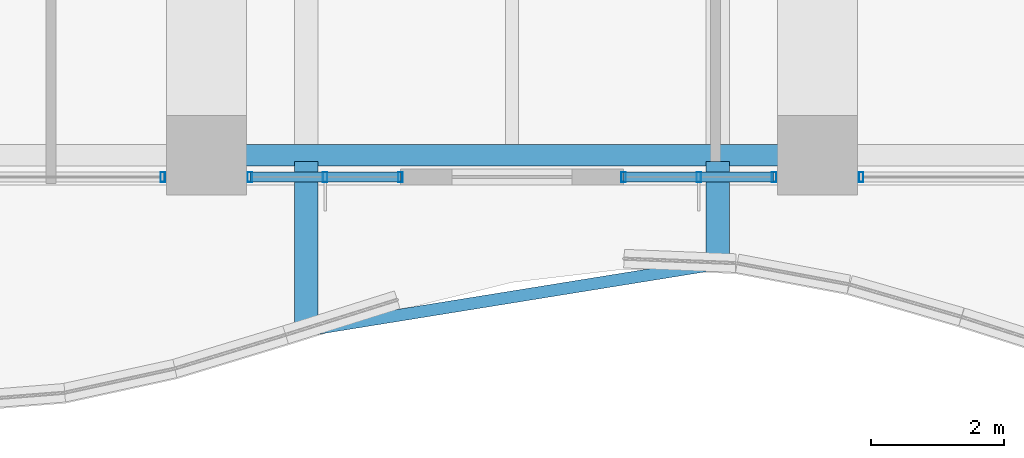
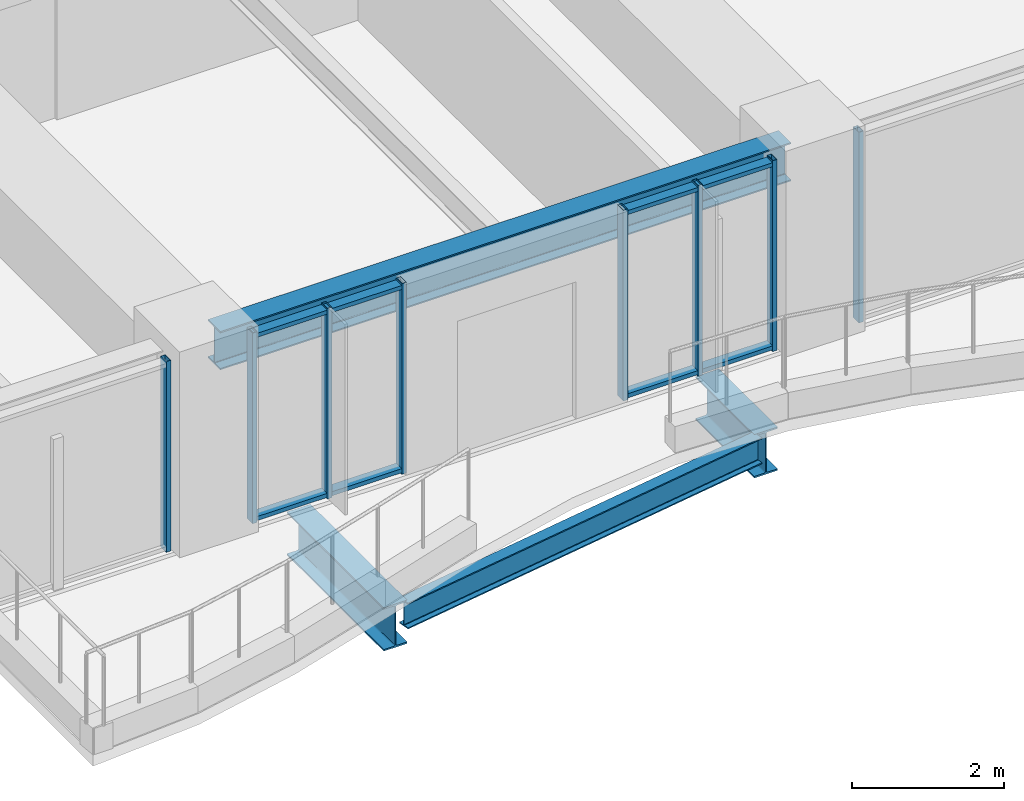
# One storey, part 5 of 37: 12 members, 4 beams, 4 elements without a shape of their own.
"""IFC4 building model written with IfcOpenShell, lengths in metres."""

from ifc_helpers import new_model, si_unit, direction, frame, origin, origin_2d, place, context, subcontext, project, spatial, hollow_rectangle, i_section, extrude, material, material_profile, profile_set, type_object, element, aggregate, save


model = new_model("IFC4")

# Units and contexts
model_context = context("Model", 3, precision=1e-05, world=origin(), true_north=direction((0.0, 1.0)))
body_context = subcontext(model_context, "Body", "Model", "MODEL_VIEW")
ifc_project = project(units=[si_unit("LENGTHUNIT", "METRE"), si_unit("AREAUNIT", "SQUARE_METRE"), si_unit("VOLUMEUNIT", "CUBIC_METRE"), si_unit("PLANEANGLEUNIT", "RADIAN"), si_unit("MASSUNIT", "GRAM", prefix="KILO")], contexts=[model_context])

# Site, building, storey
site_placement = place(None, origin())
site = spatial("IfcSite", under=ifc_project, at=site_placement, CompositionType="ELEMENT")
building_placement = place(site_placement, origin())
building = spatial("IfcBuilding", under=site, at=building_placement, Name="Kolvaren Belvedere", CompositionType="ELEMENT")
storey_placement = place(building_placement, frame((0.0, 0.0, 37.0)))
storey = spatial("IfcBuildingStorey", under=building, at=storey_placement, Name="L10", CompositionType="ELEMENT", Elevation=37.0)

# Beams
ifc_material_1 = material(Name="Structural steel ASTM A992 Grade 50", Category="steel")
ifc_material_profile_1 = material_profile(ifc_material_1, i_section(OverallWidth=0.35498046875, OverallDepth=0.696044921875, WebThickness=0.015380859375, FlangeThickness=0.02490234375, FilletRadius=0.02197265625, at=origin_2d()), Name="W27X146")
ifc_profile_set_1 = profile_set([ifc_material_profile_1], Name="Structural steel ASTM A992 Grade 50")
beam_type_1 = type_object("IfcBeamType", Name="BM-CANT-BAL", PredefinedType="BEAM", material=ifc_profile_set_1)
beam_1_placement = place(storey_placement, frame((-3.10009765625, -21.64501953125, -0.587890625), z_axis=(0.0, -1.0, 0.0), x_axis=(1.0, 0.0, 0.0)))
element("IfcBeam", 1, at=beam_1_placement, inside=storey, type_object=beam_type_1, Name="L10 Planted Balcony Cantilever BAL-S-1", PredefinedType="BEAM", context=body_context, shape_type="SweptSolid", body=[
    extrude(i_section(OverallWidth=0.35498046875, OverallDepth=0.696044921875, WebThickness=0.015380859375, FlangeThickness=0.02490234375, FilletRadius=0.02197265625, at=origin_2d()), origin(), (0.0, 0.0, 1.0), 2.541259765625),
])
beam_2_placement = place(storey_placement, frame((3.10009765625, -21.64501953125, -0.587890625), z_axis=(0.0, -1.0, 0.0), x_axis=(1.0, 0.0, 0.0)))
element("IfcBeam", 2, at=beam_2_placement, inside=storey, type_object=beam_type_1, Name="L10 Planted Balcony Cantilever BAL-S-2", PredefinedType="BEAM", context=body_context, shape_type="SweptSolid", body=[
    extrude(i_section(OverallWidth=0.35498046875, OverallDepth=0.696044921875, WebThickness=0.015380859375, FlangeThickness=0.02490234375, FilletRadius=0.02197265625, at=origin_2d()), origin(), (0.0, 0.0, 1.0), 1.540283203125),
])
ifc_material_2 = material(Name="Structural steel ASTM A992 Grade 50", Category="steel")
ifc_material_profile_2 = material_profile(ifc_material_2, i_section(OverallWidth=0.180908203125, OverallDepth=0.4169921875, WebThickness=0.010986328125, FlangeThickness=0.018310546875, FilletRadius=0.013916015625, at=origin_2d()), Name="W16X57")
ifc_profile_set_2 = profile_set([ifc_material_profile_2], Name="Structural steel ASTM A992 Grade 50")
beam_type_2 = type_object("IfcBeamType", Name="BM-EDGE-W16X57", PredefinedType="BEAM", material=ifc_profile_set_2)
beam_3_placement = place(storey_placement, frame((-2.9619140625, -24.163818359375, -0.448486328125), z_axis=(0.9872254354, 0.159329657312, 0.0), x_axis=(-0.159329657312, 0.9872254354, 0.0)))
element("IfcBeam", 3, at=beam_3_placement, inside=storey, type_object=beam_type_2, Name="L10 Balcony Tip Header Beam BAL-S", PredefinedType="BEAM", context=body_context, shape_type="SweptSolid", body=[
    extrude(i_section(OverallWidth=0.180908203125, OverallDepth=0.4169921875, WebThickness=0.010986328125, FlangeThickness=0.018310546875, FilletRadius=0.013916015625, at=origin_2d()), origin(), (0.0, 0.0, 1.0), 6.00048828125),
])
ifc_material_3 = material(Name="Structural steel ASTM A992 Grade 50", Category="steel")
ifc_material_profile_3 = material_profile(ifc_material_3, i_section(OverallWidth=0.324951171875, OverallDepth=0.615966796875, WebThickness=0.013916015625, FlangeThickness=0.021484375, FilletRadius=0.02001953125, at=origin_2d()), Name="W24X117")
ifc_profile_set_3 = profile_set([ifc_material_profile_3], Name="Structural steel ASTM A992 Grade 50")
beam_type_3 = type_object("IfcBeamType", Name="BM-SPAN-W24X117", PredefinedType="SPANDREL", material=ifc_profile_set_3)
beam_4_placement = place(storey_placement, frame((-4.330078125, -21.550048828125, 2.751953125), z_axis=(1.0, 0.0, 0.0), x_axis=(0.0, 1.0, 0.0)))
element("IfcBeam", 4, at=beam_4_placement, inside=storey, type_object=beam_type_3, Name="L10 Perimeter Spandrel S2-S3", PredefinedType="SPANDREL", context=body_context, shape_type="SweptSolid", body=[
    extrude(i_section(OverallWidth=0.324951171875, OverallDepth=0.615966796875, WebThickness=0.013916015625, FlangeThickness=0.021484375, FilletRadius=0.02001953125, at=origin_2d()), origin(), (0.0, 0.0, 1.0), 8.66015625),
])

# Curtain wall, member
ifc_material_4 = material(Name="Anodised pale-metal aluminium AA 6063-T6", Category="aluminium")
curtain_wall_type = type_object("IfcCurtainWallType", Name="CW-Z1-LOW", PredefinedType="NOTDEFINED", material=ifc_material_4)
curtain_wall_1_placement = place(storey_placement, origin())
curtain_wall_1 = element("IfcCurtainWall", 5, at=curtain_wall_1_placement, inside=storey, type_object=curtain_wall_type, Name="L10 Unitised Curtain Wall FCW-L10-S1-B1", PredefinedType="NOTDEFINED")
ifc_material_5 = material(Name="Anodised pale-metal aluminium AA 6063-T6", Category="aluminium")
ifc_material_profile_4 = material_profile(ifc_material_5, hollow_rectangle(XDim=0.070068359375, YDim=0.14990234375, WallThickness=0.004150390625, at=origin_2d()), Name="ALU-MUL-150X70")
ifc_profile_set_4 = profile_set([ifc_material_profile_4], Name="Anodised pale-metal aluminium AA 6063-T6")
member_type_1 = type_object("IfcMemberType", Name="CW-MUL-150", PredefinedType="MULLION", material=ifc_profile_set_4)
member_1_placement = place(storey_placement, frame((5.2548828125, -21.8798828125, 0.0), z_axis=(0.0, 0.0, 1.0), x_axis=(1.0, 0.0, 0.0)))
member_1 = element("IfcMember", 6, at=member_1_placement, type_object=member_type_1, Name="FCW-L10-S1-B1 Unitised Mullion 3", PredefinedType="MULLION", context=body_context, shape_type="SweptSolid", body=[
    extrude(hollow_rectangle(XDim=0.070068359375, YDim=0.14990234375, WallThickness=0.004150390625, at=origin_2d()), origin(), (0.0, 0.0, 1.0), 3.06005859375),
])
aggregate(curtain_wall_1, [member_1])

# Curtain wall, members
curtain_wall_2_placement = place(storey_placement, origin())
curtain_wall_2 = element("IfcCurtainWall", 7, at=curtain_wall_2_placement, inside=storey, type_object=curtain_wall_type, Name="L10 Unitised Curtain Wall FCW-L10-S1-B2", PredefinedType="NOTDEFINED")
member_2_placement = place(storey_placement, frame((3.945068359375, -21.8798828125, 0.0), z_axis=(0.0, 0.0, 1.0), x_axis=(1.0, 0.0, 0.0)))
member_2 = element("IfcMember", 8, at=member_2_placement, type_object=member_type_1, Name="FCW-L10-S1-B2 Unitised Mullion 1", PredefinedType="MULLION", context=body_context, shape_type="SweptSolid", body=[
    extrude(hollow_rectangle(XDim=0.070068359375, YDim=0.14990234375, WallThickness=0.004150390625, at=origin_2d()), origin(), (0.0, 0.0, 1.0), 3.06005859375),
])
member_3_placement = place(storey_placement, frame((2.8125, -21.8798828125, 0.0), z_axis=(0.0, 0.0, 1.0), x_axis=(1.0, 0.0, 0.0)))
member_3 = element("IfcMember", 9, at=member_3_placement, type_object=member_type_1, Name="FCW-L10-S1-B2 Unitised Mullion 2", PredefinedType="MULLION", context=body_context, shape_type="SweptSolid", body=[
    extrude(hollow_rectangle(XDim=0.070068359375, YDim=0.14990234375, WallThickness=0.004150390625, at=origin_2d()), origin(), (0.0, 0.0, 1.0), 3.06005859375),
])
member_4_placement = place(storey_placement, frame((1.679931640625, -21.8798828125, 0.0), z_axis=(0.0, 0.0, 1.0), x_axis=(1.0, 0.0, 0.0)))
member_4 = element("IfcMember", 10, at=member_4_placement, type_object=member_type_1, Name="FCW-L10-S1-B2 Unitised Mullion 3", PredefinedType="MULLION", context=body_context, shape_type="SweptSolid", body=[
    extrude(hollow_rectangle(XDim=0.070068359375, YDim=0.14990234375, WallThickness=0.004150390625, at=origin_2d()), origin(), (0.0, 0.0, 1.0), 3.06005859375),
])

curtain_wall_3_placement = place(storey_placement, origin())
curtain_wall_3 = element("IfcCurtainWall", 11, at=curtain_wall_3_placement, inside=storey, type_object=curtain_wall_type, Name="L10 Unitised Curtain Wall FCW-L10-S2-B1", PredefinedType="NOTDEFINED")
member_5_placement = place(storey_placement, frame((-1.679931640625, -21.8798828125, 0.0), z_axis=(0.0, 0.0, 1.0), x_axis=(1.0, 0.0, 0.0)))
member_5 = element("IfcMember", 12, at=member_5_placement, type_object=member_type_1, Name="FCW-L10-S2-B1 Unitised Mullion 1", PredefinedType="MULLION", context=body_context, shape_type="SweptSolid", body=[
    extrude(hollow_rectangle(XDim=0.070068359375, YDim=0.14990234375, WallThickness=0.004150390625, at=origin_2d()), origin(), (0.0, 0.0, 1.0), 3.06005859375),
])
member_6_placement = place(storey_placement, frame((-2.8125, -21.8798828125, 0.0), z_axis=(0.0, 0.0, 1.0), x_axis=(1.0, 0.0, 0.0)))
member_6 = element("IfcMember", 13, at=member_6_placement, type_object=member_type_1, Name="FCW-L10-S2-B1 Unitised Mullion 2", PredefinedType="MULLION", context=body_context, shape_type="SweptSolid", body=[
    extrude(hollow_rectangle(XDim=0.070068359375, YDim=0.14990234375, WallThickness=0.004150390625, at=origin_2d()), origin(), (0.0, 0.0, 1.0), 3.06005859375),
])
member_7_placement = place(storey_placement, frame((-3.945068359375, -21.8798828125, 0.0), z_axis=(0.0, 0.0, 1.0), x_axis=(1.0, 0.0, 0.0)))
member_7 = element("IfcMember", 14, at=member_7_placement, type_object=member_type_1, Name="FCW-L10-S2-B1 Unitised Mullion 3", PredefinedType="MULLION", context=body_context, shape_type="SweptSolid", body=[
    extrude(hollow_rectangle(XDim=0.070068359375, YDim=0.14990234375, WallThickness=0.004150390625, at=origin_2d()), origin(), (0.0, 0.0, 1.0), 3.06005859375),
])

# Curtain wall, member
curtain_wall_4_placement = place(storey_placement, origin())
curtain_wall_4 = element("IfcCurtainWall", 15, at=curtain_wall_4_placement, inside=storey, type_object=curtain_wall_type, Name="L10 Unitised Curtain Wall FCW-L10-S2-B2", PredefinedType="NOTDEFINED")
member_8_placement = place(storey_placement, frame((-5.2548828125, -21.8798828125, 0.0), z_axis=(0.0, 0.0, 1.0), x_axis=(1.0, 0.0, 0.0)))
member_8 = element("IfcMember", 16, at=member_8_placement, type_object=member_type_1, Name="FCW-L10-S2-B2 Unitised Mullion 1", PredefinedType="MULLION", context=body_context, shape_type="SweptSolid", body=[
    extrude(hollow_rectangle(XDim=0.070068359375, YDim=0.14990234375, WallThickness=0.004150390625, at=origin_2d()), origin(), (0.0, 0.0, 1.0), 3.06005859375),
])
aggregate(curtain_wall_4, [member_8])

# Member
ifc_material_6 = material(Name="Anodised pale-metal aluminium AA 6063-T6", Category="aluminium")
ifc_material_profile_5 = material_profile(ifc_material_6, hollow_rectangle(XDim=0.06494140625, YDim=0.14990234375, WallThickness=0.00390625, at=origin_2d()), Name="ALU-TRN-150X65")
ifc_profile_set_5 = profile_set([ifc_material_profile_5], Name="Anodised pale-metal aluminium AA 6063-T6")
member_type_2 = type_object("IfcMemberType", Name="CW-TRN-150", PredefinedType="USERDEFINED", material=ifc_profile_set_5)
member_9_placement = place(storey_placement, frame((3.945068359375, -21.8798828125, 0.06005859375), z_axis=(-1.0, 0.0, 0.0), x_axis=(0.0, 0.0, 1.0)))
member_9 = element("IfcMember", 17, at=member_9_placement, type_object=member_type_2, Name="FCW-L10-S1-B2 Sill Transom", ObjectType="TRANSOM", PredefinedType="USERDEFINED", context=body_context, shape_type="SweptSolid", body=[
    extrude(hollow_rectangle(XDim=0.06494140625, YDim=0.14990234375, WallThickness=0.00390625, at=origin_2d()), origin(), (0.0, 0.0, 1.0), 2.26513671875),
])

member_10_placement = place(storey_placement, frame((3.945068359375, -21.8798828125, 3.0), z_axis=(-1.0, 0.0, 0.0), x_axis=(0.0, 0.0, 1.0)))
member_10 = element("IfcMember", 18, at=member_10_placement, type_object=member_type_2, Name="FCW-L10-S1-B2 Head Transom", ObjectType="TRANSOM", PredefinedType="USERDEFINED", context=body_context, shape_type="SweptSolid", body=[
    extrude(hollow_rectangle(XDim=0.06494140625, YDim=0.14990234375, WallThickness=0.00390625, at=origin_2d()), origin(), (0.0, 0.0, 1.0), 2.26513671875),
])

aggregate(curtain_wall_2, [member_2, member_3, member_4, member_9, member_10])

member_11_placement = place(storey_placement, frame((-1.679931640625, -21.8798828125, 0.06005859375), z_axis=(-1.0, 0.0, 0.0), x_axis=(0.0, 0.0, 1.0)))
member_11 = element("IfcMember", 19, at=member_11_placement, type_object=member_type_2, Name="FCW-L10-S2-B1 Sill Transom", ObjectType="TRANSOM", PredefinedType="USERDEFINED", context=body_context, shape_type="SweptSolid", body=[
    extrude(hollow_rectangle(XDim=0.06494140625, YDim=0.14990234375, WallThickness=0.00390625, at=origin_2d()), origin(), (0.0, 0.0, 1.0), 2.26513671875),
])

member_12_placement = place(storey_placement, frame((-1.679931640625, -21.8798828125, 3.0), z_axis=(-1.0, 0.0, 0.0), x_axis=(0.0, 0.0, 1.0)))
member_12 = element("IfcMember", 20, at=member_12_placement, type_object=member_type_2, Name="FCW-L10-S2-B1 Head Transom", ObjectType="TRANSOM", PredefinedType="USERDEFINED", context=body_context, shape_type="SweptSolid", body=[
    extrude(hollow_rectangle(XDim=0.06494140625, YDim=0.14990234375, WallThickness=0.00390625, at=origin_2d()), origin(), (0.0, 0.0, 1.0), 2.26513671875),
])

aggregate(curtain_wall_3, [member_5, member_6, member_7, member_11, member_12])

save(model, "model.ifc")
